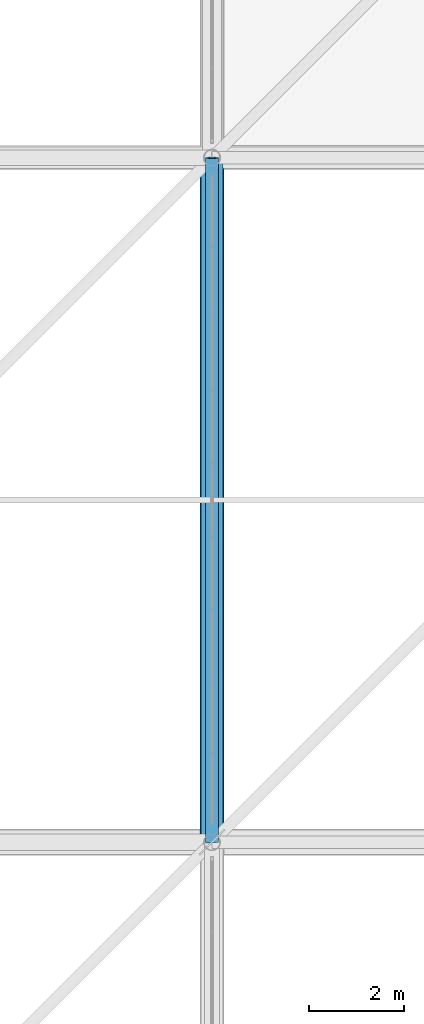
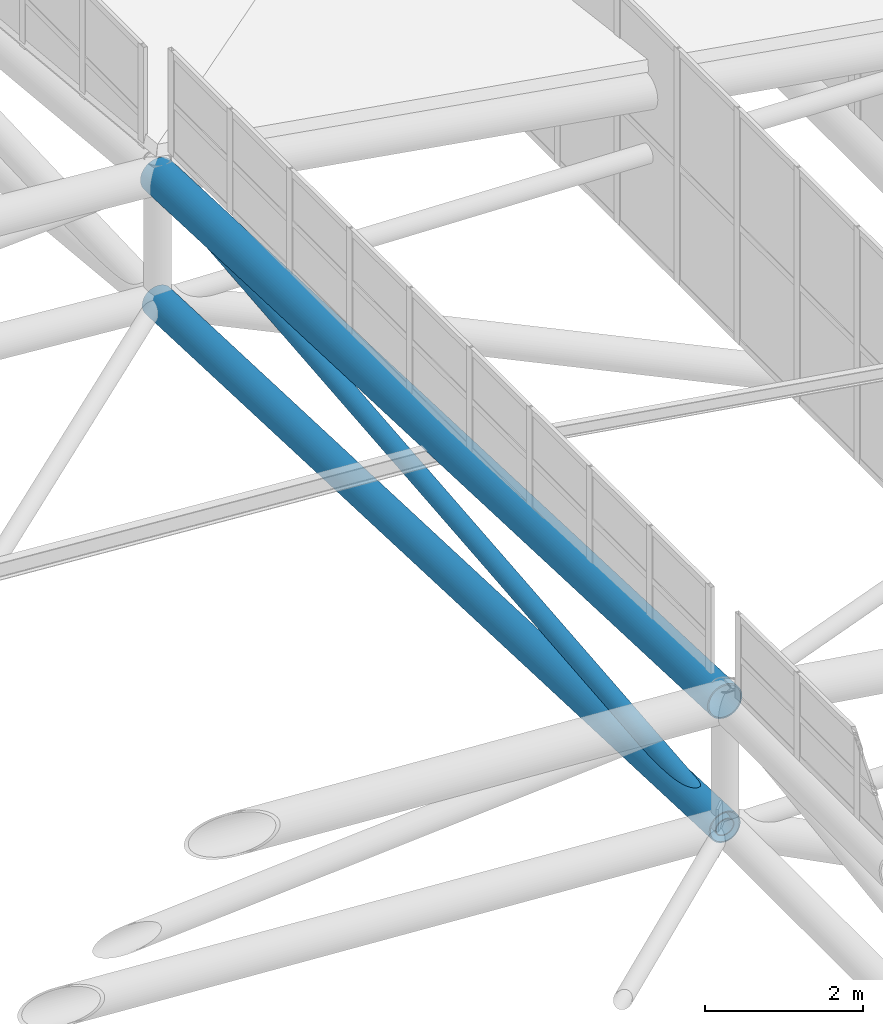
# One storey, part 273 of 397: 2 beams, 1 member.
"""IFC4 building model written with IfcOpenShell, lengths in metres."""

from ifc_helpers import new_model, si_unit, direction, frame, origin, origin_2d, place, context, subcontext, project, spatial, hollow_circle, extrude, material, material_profile, profile_set, type_object, element, save


model = new_model("IFC4")

# Units and contexts
model_context = context("Model", 3, precision=1e-05, world=origin(), true_north=direction((0.0, 1.0)))
body_context = subcontext(model_context, "Body", "Model", "MODEL_VIEW")
ifc_project = project(units=[si_unit("LENGTHUNIT", "METRE"), si_unit("AREAUNIT", "SQUARE_METRE"), si_unit("VOLUMEUNIT", "CUBIC_METRE"), si_unit("PLANEANGLEUNIT", "RADIAN"), si_unit("MASSUNIT", "GRAM", prefix="KILO")], contexts=[model_context])

# Site, building, storey
site_placement = place(None, origin())
site = spatial("IfcSite", under=ifc_project, at=site_placement, CompositionType="ELEMENT")
building_placement = place(site_placement, origin())
building = spatial("IfcBuilding", under=site, at=building_placement, Name="Qandorah Velis Arena", CompositionType="ELEMENT")
storey_placement = place(building_placement, frame((0.0, 0.0, 27.5)))
storey = spatial("IfcBuildingStorey", under=building, at=storey_placement, Name="RF", CompositionType="ELEMENT", Elevation=27.5)

# Beams
ifc_material = material(Name="Steel S355", Category="steel")
ifc_material_profile_1 = material_profile(ifc_material, hollow_circle(Radius=0.228515625, WallThickness=0.01611328125, at=origin_2d()), Name="CHS 457x16")
ifc_profile_set_1 = profile_set([ifc_material_profile_1], Name="Steel S355")
beam_type_1 = type_object("IfcBeamType", Name="STR-SFC-CHS457X16", PredefinedType="USERDEFINED", material=ifc_profile_set_1)
beam_1_placement = place(storey_placement, frame((100.800048828125, 72.0, 7.483154296875), z_axis=(0.0, 0.999202500511, -0.039929474987), x_axis=(-1.0, 0.0, 0.0)))
element("IfcBeam", 1, at=beam_1_placement, inside=storey, type_object=beam_type_1, Name="Space frame roof truss bottom chord Y 6.4", ObjectType="ROOF TRUSS", PredefinedType="USERDEFINED", context=body_context, shape_type="SweptSolid", body=[
    extrude(hollow_circle(Radius=0.228515625, WallThickness=0.01611328125, at=origin_2d()), origin(), (0.0, 0.0, 1.0), 14.411376953125),
])
ifc_material_profile_2 = material_profile(ifc_material, hollow_circle(Radius=0.25390625, WallThickness=0.02001953125, at=origin_2d()), Name="CHS 508x20")
ifc_profile_set_2 = profile_set([ifc_material_profile_2], Name="Steel S355")
beam_type_2 = type_object("IfcBeamType", Name="STR-SFC-CHS508X20", PredefinedType="USERDEFINED", material=ifc_profile_set_2)
beam_2_placement = place(storey_placement, frame((100.800048828125, 72.0, 9.43310546875), z_axis=(0.0, 0.999202500511, -0.039929474987), x_axis=(-1.0, 0.0, 0.0)))
element("IfcBeam", 2, at=beam_2_placement, inside=storey, type_object=beam_type_2, Name="Space frame roof truss top chord Y 6.4", ObjectType="ROOF TRUSS", PredefinedType="USERDEFINED", context=body_context, shape_type="SweptSolid", body=[
    extrude(hollow_circle(Radius=0.25390625, WallThickness=0.02001953125, at=origin_2d()), origin(), (0.0, 0.0, 1.0), 14.411376953125),
])

# Member
ifc_material_profile_3 = material_profile(ifc_material, hollow_circle(Radius=0.136474609375, WallThickness=0.010009765625, at=origin_2d()), Name="CHS 273x10")
ifc_profile_set_3 = profile_set([ifc_material_profile_3], Name="Steel S355")
member_type = type_object("IfcMemberType", Name="STR-SFD-CHS273X10", PredefinedType="STRUT", material=ifc_profile_set_3)
member_placement = place(storey_placement, frame((100.800048828125, 72.0, 7.483154296875), z_axis=(0.0, 0.995475272771, 0.095020951912), x_axis=(-1.0, 0.0, 0.0)))
element("IfcMember", 3, at=member_placement, inside=storey, type_object=member_type, Name="Space frame roof diagonal Y 6.4", PredefinedType="STRUT", context=body_context, shape_type="SweptSolid", body=[
    extrude(hollow_circle(Radius=0.136474609375, WallThickness=0.010009765625, at=origin_2d()), origin(), (0.0, 0.0, 1.0), 14.46533203125),
])

save(model, "model.ifc")
